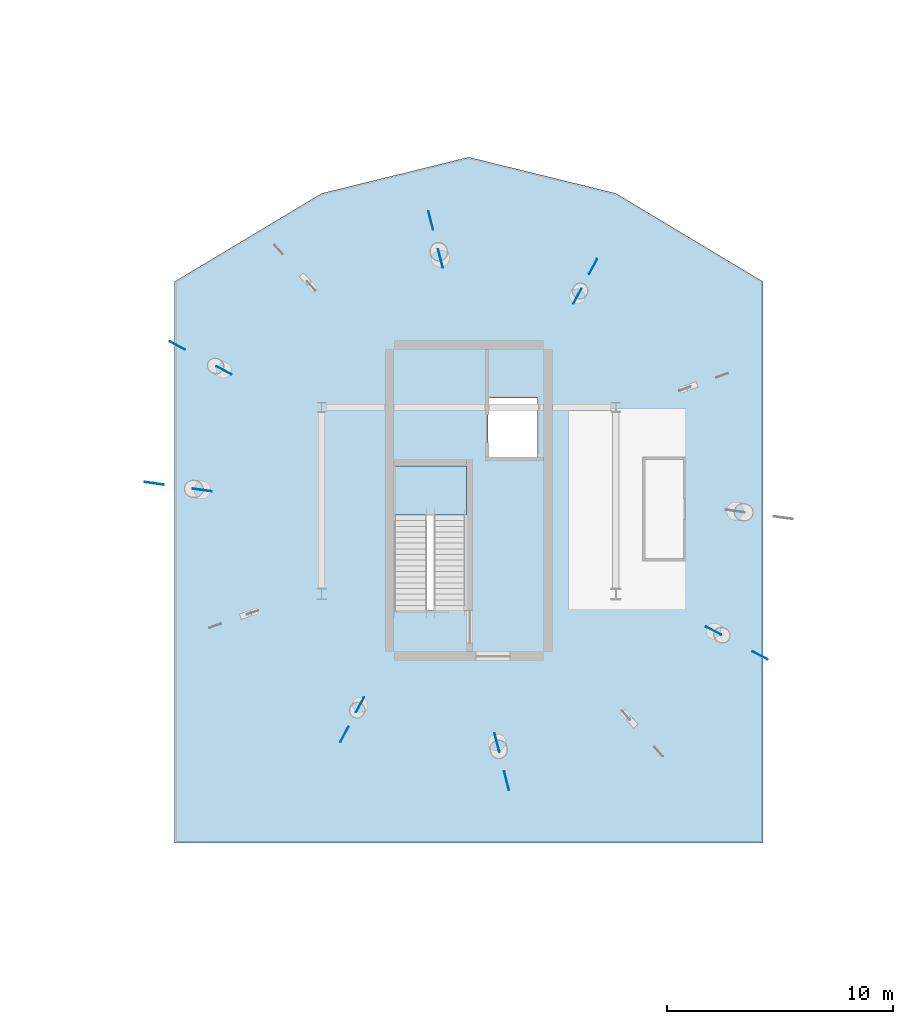
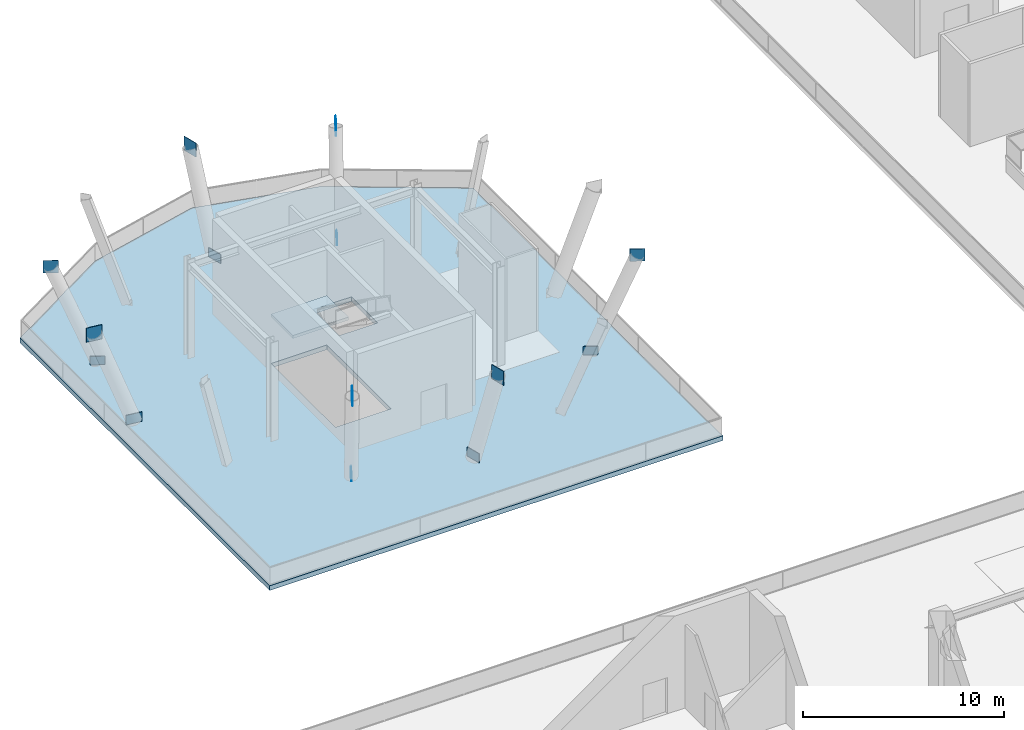
# One storey, part 28 of 73: 14 plates, 2 slabs, 1 element without a shape of its own.
"""IFC4 building model written with IfcOpenShell, lengths in metres."""

from ifc_helpers import new_model, si_unit, direction, frame, origin, origin_2d, place, context, subcontext, project, spatial, polyline, rectangle, outline, extrude, material, layer, layer_set, type_object, element, aggregate, save


model = new_model("IFC4")

# Units and contexts
model_context = context("Model", 3, precision=1e-05, world=origin(), true_north=direction((0.0, 1.0)))
body_context = subcontext(model_context, "Body", "Model", "MODEL_VIEW")
ifc_project = project(units=[si_unit("LENGTHUNIT", "METRE"), si_unit("AREAUNIT", "SQUARE_METRE"), si_unit("VOLUMEUNIT", "CUBIC_METRE"), si_unit("PLANEANGLEUNIT", "RADIAN"), si_unit("MASSUNIT", "GRAM", prefix="KILO")], contexts=[model_context])

# Site, building, storey
site_placement = place(None, origin())
site = spatial("IfcSite", under=ifc_project, at=site_placement, CompositionType="ELEMENT")
building_placement = place(site_placement, origin())
building = spatial("IfcBuilding", under=site, at=building_placement, Name="Linyun Crest Stadium", CompositionType="ELEMENT")
storey_placement = place(building_placement, origin())
storey = spatial("IfcBuildingStorey", under=building, at=storey_placement, Name="L01", CompositionType="ELEMENT", Elevation=0.0)

# Plates
ifc_material_1 = material(Name="Steel Q420C", Category="steel")
ifc_layer_1 = layer(ifc_material_1, 0.028076171875)
ifc_layer_set_1 = layer_set([ifc_layer_1], Name="Steel Q420C")
plate_type = type_object("IfcPlateType", Name="EP03", PredefinedType="USERDEFINED", material=ifc_layer_set_1)
for number, where, z_axis, x_axis, name in (
    (1, (-62.679931640625, 78.8720703125, -0.239501953125), (0.0, 0.0, 1.0), (0.882865641166, -0.469625659061, 0.0), "Hollow section cap end plate EP03 339"),
    (2, (-60.626953125, 77.780029296875, 5.62255859375), (0.0, 0.0, 1.0), (0.882865641166, -0.469625659061, 0.0), "Hollow section cap end plate EP03 340"),
    (3, (-68.699951171875, 93.65087890625, -0.283447265625), (0.0, 0.0, 1.0), (0.469163327338, 0.883111415554, 0.0), "Hollow section cap end plate EP03 354"),
    (4, (-68.001953125, 94.965087890625, 5.62255859375), (0.0, 0.0, 1.0), (0.469163327338, 0.883111415554, 0.0), "Hollow section cap end plate EP03 355"),
):
    element("IfcPlate", number, at=place(storey_placement, frame(where, z_axis=z_axis, x_axis=x_axis)), inside=storey, type_object=plate_type, Name=name, ObjectType="END PLATE", PredefinedType="USERDEFINED", context=body_context, shape_type="SweptSolid", body=[
        extrude(rectangle(XDim=0.7509765625, YDim=0.028076171875, at=origin_2d()), origin(), (0.0, 0.0, 1.0), 0.7509765625),
    ])
for number, where, z_axis, x_axis, name in (
    (5, (-74.748046875, 95.322021484375, -0.306396484375), (0.0, 0.0, 1.0), (-0.246322451985, 0.96918793309, 0.0), "Hollow section cap end plate EP03 359"),
    (6, (-75.175048828125, 97.001953125, 5.571533203125), (0.0, 0.0, 1.0), (-0.246322451985, 0.96918793309, 0.0), "Hollow section cap end plate EP03 360"),
):
    element("IfcPlate", number, at=place(storey_placement, frame(where, z_axis=z_axis, x_axis=x_axis)), inside=storey, type_object=plate_type, Name=name, ObjectType="END PLATE", PredefinedType="USERDEFINED", context=body_context, shape_type="SweptSolid", body=[
        extrude(rectangle(XDim=0.85302734375, YDim=0.028076171875, at=origin_2d()), origin(), (0.0, 0.0, 1.0), 0.85302734375),
    ])
for number, where, z_axis, x_axis, name in (
    (7, (-84.320068359375, 90.3779296875, -0.239501953125), (0.0, 0.0, 1.0), (-0.882865641166, 0.469625659061, 0.0), "Hollow section cap end plate EP03 369"),
    (8, (-86.373046875, 91.469970703125, 5.62255859375), (0.0, 0.0, 1.0), (-0.882865641166, 0.469625659061, 0.0), "Hollow section cap end plate EP03 370"),
):
    element("IfcPlate", number, at=place(storey_placement, frame(where, z_axis=z_axis, x_axis=x_axis)), inside=storey, type_object=plate_type, Name=name, ObjectType="END PLATE", PredefinedType="USERDEFINED", context=body_context, shape_type="SweptSolid", body=[
        extrude(rectangle(XDim=0.7509765625, YDim=0.028076171875, at=origin_2d()), origin(), (0.0, 0.0, 1.0), 0.7509765625),
    ])
for number, where, z_axis, x_axis, name in (
    (9, (-85.27587890625, 85.089111328125, -0.281494140625), (0.0, 0.0, 1.0), (-0.990533436751, 0.137271667431, 0.0), "Hollow section cap end plate EP03 374"),
    (10, (-87.39697265625, 85.383056640625, 5.571533203125), (0.0, 0.0, 1.0), (-0.990533436751, 0.137271667431, 0.0), "Hollow section cap end plate EP03 375"),
):
    element("IfcPlate", number, at=place(storey_placement, frame(where, z_axis=z_axis, x_axis=x_axis)), inside=storey, type_object=plate_type, Name=name, ObjectType="END PLATE", PredefinedType="USERDEFINED", context=body_context, shape_type="SweptSolid", body=[
        extrude(rectangle(XDim=0.85302734375, YDim=0.028076171875, at=origin_2d()), origin(), (0.0, 0.0, 1.0), 0.85302734375),
    ])
for number, where, z_axis, x_axis, name in (
    (11, (-78.300048828125, 75.59912109375, -0.283447265625), (0.0, 0.0, 1.0), (-0.469163327338, -0.883111415554, 0.0), "Hollow section cap end plate EP03 384"),
    (12, (-78.998046875, 74.284912109375, 5.62255859375), (0.0, 0.0, 1.0), (-0.469163327338, -0.883111415554, 0.0), "Hollow section cap end plate EP03 385"),
):
    element("IfcPlate", number, at=place(storey_placement, frame(where, z_axis=z_axis, x_axis=x_axis)), inside=storey, type_object=plate_type, Name=name, ObjectType="END PLATE", PredefinedType="USERDEFINED", context=body_context, shape_type="SweptSolid", body=[
        extrude(rectangle(XDim=0.7509765625, YDim=0.028076171875, at=origin_2d()), origin(), (0.0, 0.0, 1.0), 0.7509765625),
    ])
for number, where, z_axis, x_axis, name in (
    (13, (-72.251953125, 73.927978515625, -0.306396484375), (0.0, 0.0, 1.0), (0.246322451985, -0.96918793309, 0.0), "Hollow section cap end plate EP03 389"),
    (14, (-71.824951171875, 72.248046875, 5.571533203125), (0.0, 0.0, 1.0), (0.246322451985, -0.96918793309, 0.0), "Hollow section cap end plate EP03 390"),
):
    element("IfcPlate", number, at=place(storey_placement, frame(where, z_axis=z_axis, x_axis=x_axis)), inside=storey, type_object=plate_type, Name=name, ObjectType="END PLATE", PredefinedType="USERDEFINED", context=body_context, shape_type="SweptSolid", body=[
        extrude(rectangle(XDim=0.85302734375, YDim=0.028076171875, at=origin_2d()), origin(), (0.0, 0.0, 1.0), 0.85302734375),
    ])

# Slab
ifc_material_2 = material(Name="Concrete C40", Category="concrete")
ifc_layer_2 = layer(ifc_material_2, 0.280029296875)
ifc_layer_set_2 = layer_set([ifc_layer_2], Name="Concrete C40")
slab_type_1 = type_object("IfcSlabType", Name="FS05", PredefinedType="FLOOR", material=ifc_layer_set_2)
slab_1_placement = place(storey_placement, frame((0.0, 0.0, -0.280029296875)))
element("IfcSlab", 15, at=slab_1_placement, inside=storey, type_object=slab_type_1, Name="Slab FS05 V5 L01 47", PredefinedType="FLOOR", context=body_context, shape_type="SweptSolid", body=[
    extrude(outline(polyline([(-86.5, 69.5), (-60.5, 69.5), (-60.5, 94.300048828125), (-67.0, 98.199951171875), (-73.5, 99.800048828125), (-80.0, 98.199951171875), (-86.5, 94.300048828125), (-86.5, 69.5)]), holes=[polyline([(-76.800048828125, 79.77001953125), (-76.800048828125, 86.14990234375), (-73.60009765625, 86.14990234375), (-73.60009765625, 79.77001953125), (-76.800048828125, 79.77001953125)]), polyline([(-72.64990234375, 86.550048828125), (-72.64990234375, 89.14990234375), (-70.449951171875, 89.14990234375), (-70.449951171875, 86.550048828125), (-72.64990234375, 86.550048828125)])]), origin(), (0.0, 0.0, 1.0), 0.280029296875),
])

# Stair, slab
ifc_material_3 = material(Name="Concrete C40", Category="concrete")
stair_type = type_object("IfcStairType", Name="STA01", PredefinedType="HALF_TURN_STAIR", material=ifc_material_3)
stair_placement = place(storey_placement, origin())
stair = element("IfcStair", 16, at=stair_placement, inside=storey, type_object=stair_type, Name="Evacuation stair STR-11-L01", PredefinedType="HALF_TURN_STAIR")
ifc_material_4 = material(Name="Concrete C40", Category="concrete")
ifc_layer_3 = layer(ifc_material_4, 0.179931640625)
ifc_layer_set_3 = layer_set([ifc_layer_3], Name="Concrete C40")
slab_type_2 = type_object("IfcSlabType", Name="LS01", PredefinedType="LANDING", material=ifc_layer_set_3)
slab_2_placement = place(storey_placement, frame((0.0, 0.0, 2.820068359375)))
slab_2 = element("IfcSlab", 17, at=slab_2_placement, type_object=slab_type_2, Name="STR-11-L01 half-landing", PredefinedType="LANDING", context=body_context, shape_type="SweptSolid", body=[
    extrude(outline(polyline([(-76.800048828125, 83.989990234375), (-73.60009765625, 83.989990234375), (-73.60009765625, 86.14990234375), (-76.800048828125, 86.14990234375), (-76.800048828125, 83.989990234375)])), origin(), (0.0, 0.0, 1.0), 0.179931640625),
])
aggregate(stair, [slab_2])

save(model, "model.ifc")
